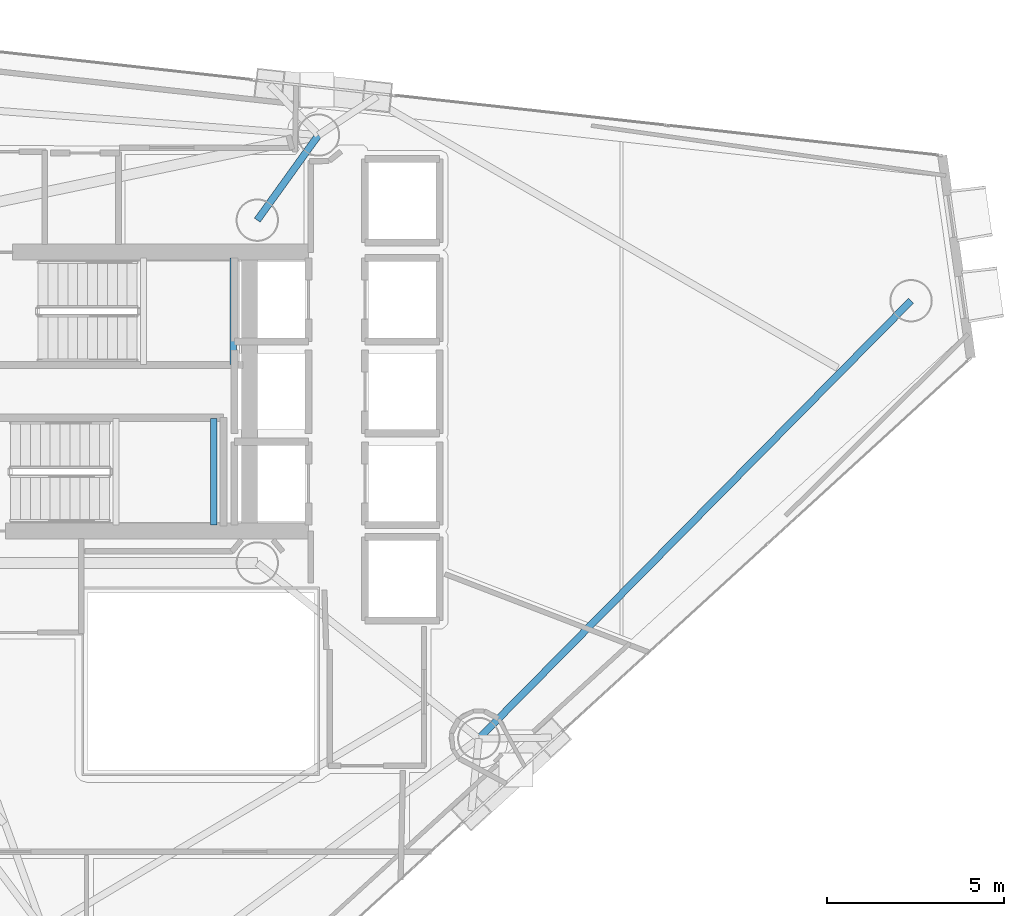
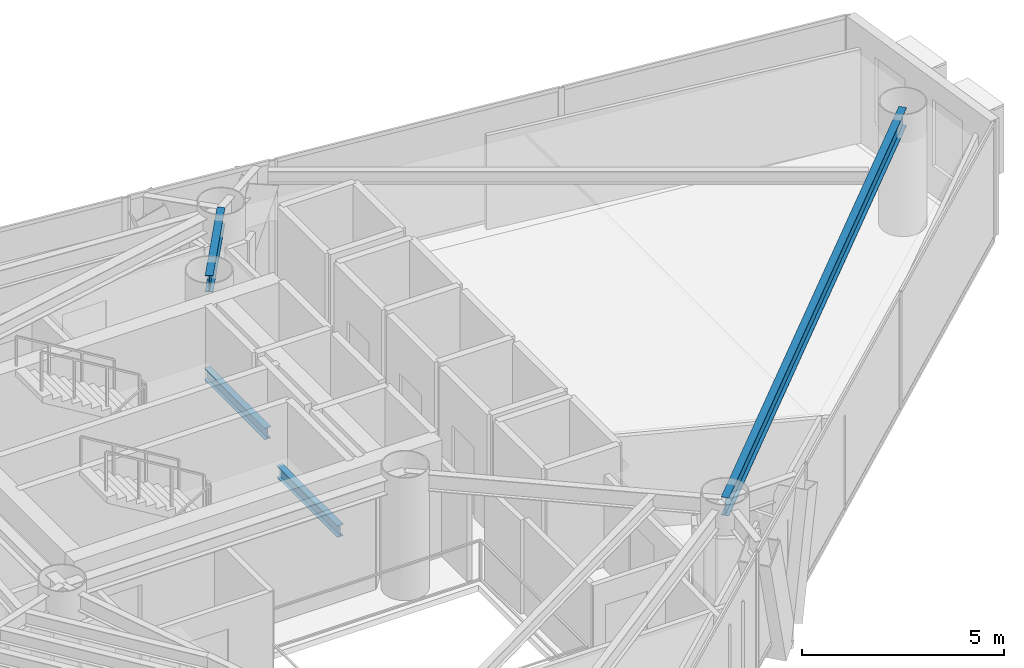
# One storey, part 13 of 24: 4 beams.
"""IFC4 building model written with IfcOpenShell, lengths in metres."""

from ifc_helpers import new_model, si_unit, direction, frame, origin, origin_2d, place, context, subcontext, project, spatial, i_section, extrude, material, material_profile, profile_set, type_object, element, save


model = new_model("IFC4")

# Units and contexts
model_context = context("Model", 3, precision=1e-05, world=origin(), true_north=direction((0.0, 1.0)))
body_context = subcontext(model_context, "Body", "Model", "MODEL_VIEW")
ifc_project = project(units=[si_unit("LENGTHUNIT", "METRE"), si_unit("AREAUNIT", "SQUARE_METRE"), si_unit("VOLUMEUNIT", "CUBIC_METRE"), si_unit("PLANEANGLEUNIT", "RADIAN"), si_unit("MASSUNIT", "GRAM", prefix="KILO")], contexts=[model_context])

# Site, building, storey
site_placement = place(None, origin())
site = spatial("IfcSite", under=ifc_project, at=site_placement, CompositionType="ELEMENT")
building_placement = place(site_placement, origin())
building = spatial("IfcBuilding", under=site, at=building_placement, Name="Qianvela Tower", CompositionType="ELEMENT")
storey_placement = place(building_placement, frame((0.0, 0.0, 222.5)))
storey = spatial("IfcBuildingStorey", under=building, at=storey_placement, Name="L57", CompositionType="ELEMENT", Elevation=222.5)

# Beams
ifc_material_1 = material(Name="Steel Q355B", Category="steel")
ifc_material_profile_1 = material_profile(ifc_material_1, i_section(OverallWidth=0.175048828125, OverallDepth=0.35009765625, WebThickness=0.007080078125, FlangeThickness=0.010986328125, at=origin_2d()), Name="HN350x175x7x11")
ifc_profile_set_1 = profile_set([ifc_material_profile_1], Name="Steel Q355B")
beam_type_1 = type_object("IfcBeamType", Name="BM-HN350-JOIST", PredefinedType="JOIST", material=ifc_profile_set_1)
for number, where, z_axis, x_axis, name in (
    (1, (37.719970703125, 29.4599609375, 1.47509765625), (0.0, 1.0, 0.0), (-1.0, 0.0, 0.0), "L57 Stair ST-1 Landing Support Beam 1.2"),
    (2, (37.169921875, 24.919921875, 1.47509765625), (0.0, 1.0, 0.0), (-1.0, 0.0, 0.0), "L57 Stair ST-2 Landing Support Beam 1.2"),
):
    element("IfcBeam", number, at=place(storey_placement, frame(where, z_axis=z_axis, x_axis=x_axis)), inside=storey, type_object=beam_type_1, Name=name, PredefinedType="JOIST", context=body_context, shape_type="SweptSolid", body=[
        extrude(i_section(OverallWidth=0.175048828125, OverallDepth=0.35009765625, WebThickness=0.007080078125, FlangeThickness=0.010986328125, at=origin_2d()), origin(), (0.0, 0.0, 1.0), 3.02001953125),
    ])
ifc_material_2 = material(Name="Steel Q355B", Category="steel")
ifc_material_profile_2 = material_profile(ifc_material_2, i_section(OverallWidth=0.199951171875, OverallDepth=0.5, WebThickness=0.010009765625, FlangeThickness=0.01611328125, at=origin_2d()), Name="HN500x200x10x16")
ifc_profile_set_2 = profile_set([ifc_material_profile_2], Name="Steel Q355B")
beam_type_2 = type_object("IfcBeamType", Name="BM-HN500-GIRD", PredefinedType="BEAM", material=ifc_profile_set_2)
beam_1_placement = place(storey_placement, frame((38.39990234375, 33.550048828125, 3.26806640625), z_axis=(0.583742907536, 0.811938555496, 0.0), x_axis=(-0.811938555496, 0.583742907536, 0.0)))
element("IfcBeam", 3, at=beam_1_placement, inside=storey, type_object=beam_type_2, Name="L57 Radial Primary Floor Girder 2", PredefinedType="BEAM", context=body_context, shape_type="SweptSolid", body=[
    extrude(i_section(OverallWidth=0.199951171875, OverallDepth=0.5, WebThickness=0.010009765625, FlangeThickness=0.01611328125, at=origin_2d()), origin(), (0.0, 0.0, 1.0), 2.965576171875),
])
ifc_material_3 = material(Name="Steel Q355B", Category="steel")
ifc_material_profile_3 = material_profile(ifc_material_3, i_section(OverallWidth=0.199951171875, OverallDepth=0.550048828125, WebThickness=0.010009765625, FlangeThickness=0.01611328125, at=origin_2d()), Name="HN550x200x10x16")
ifc_profile_set_3 = profile_set([ifc_material_profile_3], Name="Steel Q355B")
beam_type_3 = type_object("IfcBeamType", Name="BM-HN550-GIRD", PredefinedType="BEAM", material=ifc_profile_set_3)
beam_2_placement = place(storey_placement, frame((44.6669921875, 18.883056640625, 3.242919921875), z_axis=(0.702583270685, 0.711601537205, 0.0), x_axis=(-0.711601537205, 0.702583270685, 0.0)))
element("IfcBeam", 4, at=beam_2_placement, inside=storey, type_object=beam_type_3, Name="L57 Perimeter Ring Spandrel Girder 6", PredefinedType="BEAM", context=body_context, shape_type="SweptSolid", body=[
    extrude(i_section(OverallWidth=0.199951171875, OverallDepth=0.550048828125, WebThickness=0.010009765625, FlangeThickness=0.01611328125, at=origin_2d()), origin(), (0.0, 0.0, 1.0), 17.4072265625),
])

save(model, "model.ifc")
